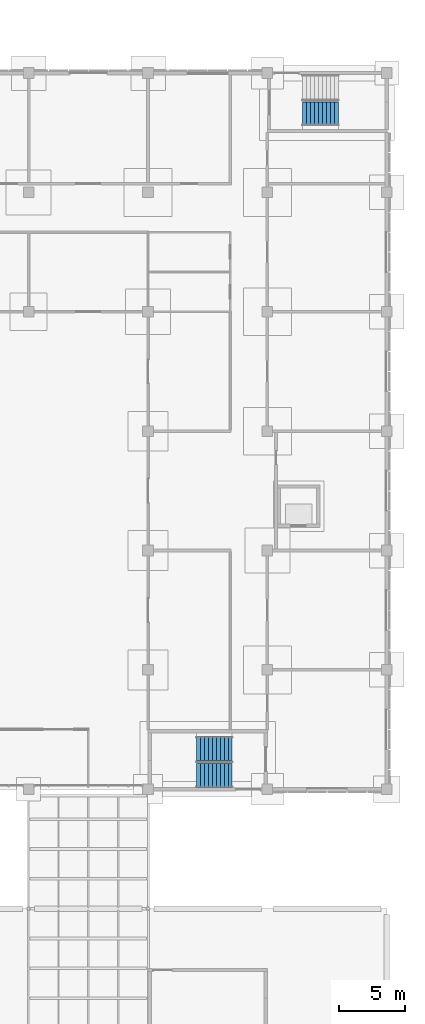
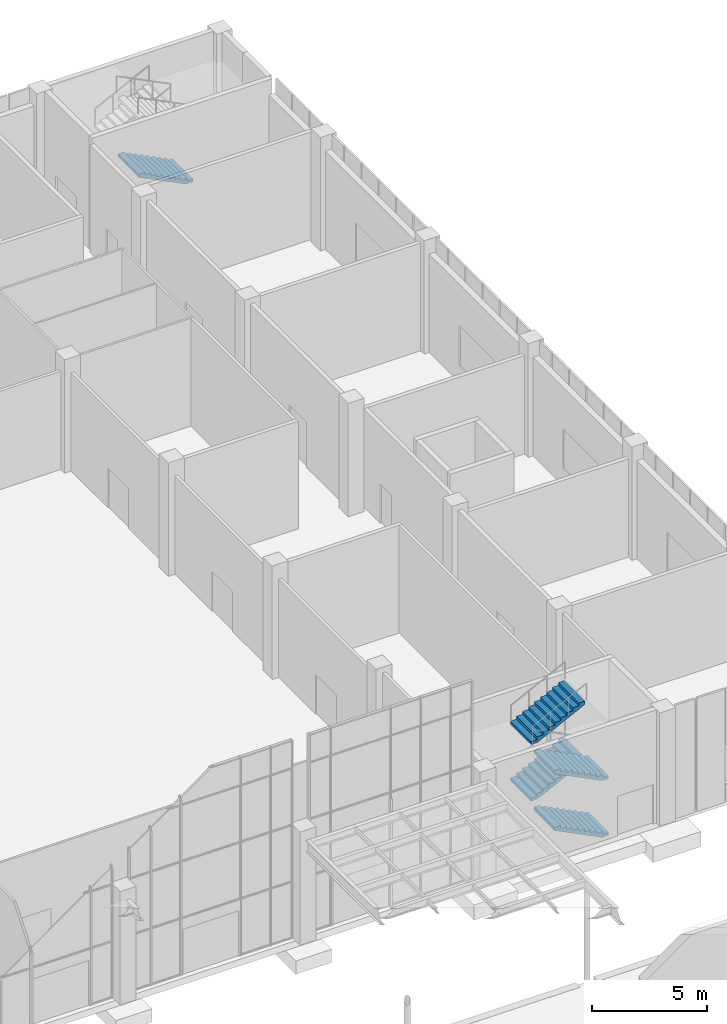
# One storey, part 75 of 86: 5 stair flights, 2 elements without a shape of their own.
"""IFC4 building model written with IfcOpenShell, lengths in metres."""

import ifcopenshell
import ifcopenshell.guid

model = None  # the IFC model being written
_history = None  # IfcOwnerHistory: only IFC2X3 demands one
_inside = {}  # id of a spatial element -> (the spatial element, [elements in it])
_under = {}  # id of a project, library or spatial element -> (it, [spatial elements below it])
_declared = {}  # id of a project -> (the project, [libraries it declares])
_typed = {}  # id of a type object -> (the type object, [elements of that type])
_made_of = {}  # id of a material, layer set ... -> (it, [elements and type objects made of it])


def new_model(schema):
    """Start an empty IFC model of exactly this schema.

    Asked for "IFC4X3", IfcOpenShell would pick the latest addendum, in which some entities
    have other attributes; the version numbers below select the first issue.
    IFC2X3 requires an IfcOwnerHistory on every rooted entity: one is made here for all.
    """
    global model, _history
    if schema == "IFC4X3":
        model = ifcopenshell.file(schema_version=(4, 3, 0, 0))
    else:
        model = ifcopenshell.file(schema=schema)
    _inside.clear()
    _under.clear()
    _declared.clear()
    _typed.clear()
    _made_of.clear()
    _history = None
    if model.schema == "IFC2X3":
        org = make("IfcOrganization", Name="unknown")
        user = make(
            "IfcPersonAndOrganization",
            ThePerson=make("IfcPerson", FamilyName="unknown"),
            TheOrganization=org,
        )
        app = make(
            "IfcApplication",
            ApplicationDeveloper=org,
            Version="unknown",
            ApplicationFullName="unknown",
            ApplicationIdentifier="unknown",
        )
        _history = make(
            "IfcOwnerHistory",
            OwningUser=user,
            OwningApplication=app,
            ChangeAction="ADDED",
            CreationDate=0,
        )
    return model


def make(cls, **values):
    """One entity of the class cls with the attributes given. An attribute that is None is left unset."""
    return model.create_entity(
        cls, **{name: value for name, value in values.items() if value is not None}
    )


def rooted(cls, **values):
    """An entity with a GlobalId (a new one), such as an element, a storey or a relation."""
    return make(cls, GlobalId=ifcopenshell.guid.new(), OwnerHistory=_history, **values)


def si_unit(unit_type, name, prefix=None):
    """IfcSIUnit, for example si_unit("LENGTHUNIT", "METRE", prefix="MILLI")."""
    return make("IfcSIUnit", UnitType=unit_type, Prefix=prefix, Name=name)


def assignment(units):
    """IfcUnitAssignment: the units of a project."""
    return None if units is None else make("IfcUnitAssignment", Units=units)


def point(xyz):
    """IfcCartesianPoint."""
    return None if xyz is None else make("IfcCartesianPoint", Coordinates=xyz)


def direction(xyz):
    """IfcDirection."""
    return None if xyz is None else make("IfcDirection", DirectionRatios=xyz)


def frame(location, z_axis=None, x_axis=None):
    """IfcAxis2Placement3D, a coordinate frame: its origin and axes. An axis left out is left unset."""
    return make(
        "IfcAxis2Placement3D",
        Location=point(location),
        Axis=direction(z_axis),
        RefDirection=direction(x_axis),
    )


def origin():
    """The frame at (0, 0, 0) with its axes left unset."""
    return frame((0.0, 0.0, 0.0))


def place(relative_to, where):
    """IfcLocalPlacement: puts the frame where relative to a parent placement (None: the world)."""
    return make(
        "IfcLocalPlacement", PlacementRelTo=relative_to, RelativePlacement=where
    )


def context(
    kind, dimensions, precision=None, world=None, true_north=None, identifier=None
):
    """IfcGeometricRepresentationContext, for example the 3D "Model" context."""
    return make(
        "IfcGeometricRepresentationContext",
        ContextIdentifier=identifier,
        ContextType=kind,
        CoordinateSpaceDimension=dimensions,
        Precision=precision,
        WorldCoordinateSystem=world,
        TrueNorth=true_north,
    )


def subcontext(parent, identifier, kind, view, scale=None):
    """IfcGeometricRepresentationSubContext, for example "Body" below "Model"."""
    return make(
        "IfcGeometricRepresentationSubContext",
        ContextIdentifier=identifier,
        ContextType=kind,
        ParentContext=parent,
        TargetScale=scale,
        TargetView=view,
    )


def project(units=None, contexts=None):
    """IfcProject with its units and contexts."""
    return rooted(
        "IfcProject",
        Name="project",
        RepresentationContexts=contexts,
        UnitsInContext=assignment(units),
    )


def spatial(cls, under=None, at=None, **own):
    """A site, building, storey or space (cls), placed at a placement, below another one or the project."""
    s = rooted(cls, ObjectPlacement=at, **own)
    if under is not None:
        _under.setdefault(under.id(), (under, []))[1].append(s)
    return s


def faces_of(points, faces, orient=None, outer=None):
    """IfcFace entities. A face is a list of loops; a loop is a list of indices into points, from 0.

    orient and outer hold one flag for each loop. By default every Orientation is true, the
    first loop of a face is its IfcFaceOuterBound and the others are IfcFaceBound.
    """
    made = []
    for i, loops in enumerate(faces):
        bounds = []
        for j, loop in enumerate(loops):
            is_outer = j == 0 if outer is None else outer[i][j]
            bounds.append(
                make(
                    "IfcFaceOuterBound" if is_outer else "IfcFaceBound",
                    Bound=make("IfcPolyLoop", Polygon=[points[k] for k in loop]),
                    Orientation=True if orient is None else orient[i][j],
                )
            )
        made.append(make("IfcFace", Bounds=bounds))
    return made


def faceted_brep(points, faces, orient=None, outer=None, voids=None):
    """IfcFacetedBrep: a solid bounded by flat faces; with voids (closed shells), ...WithVoids."""
    shared = [point(p) for p in points]
    hull = make("IfcClosedShell", CfsFaces=faces_of(shared, faces, orient, outer))
    if voids is None:
        return make("IfcFacetedBrep", Outer=hull)
    return make(
        "IfcFacetedBrepWithVoids",
        Outer=hull,
        Voids=[
            make(cls, CfsFaces=faces_of(shared, fs, o, b)) for cls, fs, o, b in voids
        ],
    )


def shape(context_of_items, identifier, shape_type, items):
    """IfcShapeRepresentation: the items that make up one representation, for example the "Body"."""
    return make(
        "IfcShapeRepresentation",
        ContextOfItems=context_of_items,
        RepresentationIdentifier=identifier,
        RepresentationType=shape_type,
        Items=items,
    )


def material(Name=None, Category=None):
    """IfcMaterial."""
    return make("IfcMaterial", Name=Name, Category=Category)


def made_of(thing, what):
    """Note that an element or type object is made of a material, layer set ...; save() writes the relation."""
    if what is not None:
        _made_of.setdefault(what.id(), (what, []))[1].append(thing)
    return thing


def type_object(cls, material=None, **own):
    """A type object (cls), such as IfcWallType, which elements share."""
    return made_of(rooted(cls, **own), material)


def element(
    cls,
    number,
    at=None,
    inside=None,
    cuts=None,
    type_object=None,
    material=None,
    context=None,
    identifier="Body",
    shape_type=None,
    held_by="IfcProductDefinitionShape",
    body=None,
    shapes=None,
    **own,
):
    """One element of the class cls, such as IfcWall. Its Tag is "e" and its number.

    at: its placement. inside: the storey or other place that contains it. cuts: it is an
    opening in that element (IfcRelVoidsElement). A single representation is given by context,
    identifier, shape_type and body (its items); several are given by shapes. held_by: the class
    of the entity that holds the representations. save() writes the other relations.
    """
    e = rooted(cls, Tag="e%d" % number, ObjectPlacement=at, **own)
    if body is not None:
        shapes = [shape(context, identifier, shape_type, body)]
    if shapes is not None:
        e.Representation = make(held_by, Representations=shapes)
    if inside is not None:
        _inside.setdefault(inside.id(), (inside, []))[1].append(e)
    if cuts is not None:
        rooted(
            "IfcRelVoidsElement", RelatingBuildingElement=cuts, RelatedOpeningElement=e
        )
    if type_object is not None:
        _typed.setdefault(type_object.id(), (type_object, []))[1].append(e)
    return made_of(e, material)


def aggregate(whole, parts):
    """IfcRelAggregates: a whole, such as a stair, and the parts it consists of."""
    return rooted("IfcRelAggregates", RelatingObject=whole, RelatedObjects=parts)


def save(model, path):
    """Write the relations noted so far, then the file.

    IfcRelAggregates (storeys below a building ...), IfcRelContainedInSpatialStructure (elements
    in a storey), IfcRelDefinesByType, IfcRelAssociatesMaterial and IfcRelDeclares: one each for
    every whole, place, type object, material and project.
    """
    for whole, parts in _under.values():
        aggregate(whole, parts)
    for where, things in _inside.values():
        rooted(
            "IfcRelContainedInSpatialStructure",
            RelatedElements=things,
            RelatingStructure=where,
        )
    for kind, things in _typed.values():
        rooted("IfcRelDefinesByType", RelatedObjects=things, RelatingType=kind)
    for what, things in _made_of.values():
        rooted("IfcRelAssociatesMaterial", RelatedObjects=things, RelatingMaterial=what)
    for by, libraries in _declared.values():
        rooted("IfcRelDeclares", RelatingContext=by, RelatedDefinitions=libraries)
    model.write(path)


model = new_model("IFC4")

# Units and contexts
model_context = context("Model", 3, precision=1e-05, world=origin(), true_north=direction((0.0, 1.0)))
body_context = subcontext(model_context, "Body", "Model", "MODEL_VIEW")
ifc_project = project(units=[si_unit("LENGTHUNIT", "METRE"), si_unit("AREAUNIT", "SQUARE_METRE"), si_unit("VOLUMEUNIT", "CUBIC_METRE"), si_unit("PLANEANGLEUNIT", "RADIAN"), si_unit("MASSUNIT", "GRAM", prefix="KILO")], contexts=[model_context])

# Site, building, storey
site_placement = place(None, origin())
site = spatial("IfcSite", under=ifc_project, at=site_placement, CompositionType="ELEMENT")
building_placement = place(site_placement, origin())
building = spatial("IfcBuilding", under=site, at=building_placement, Name="Guidao Yard Department Store", CompositionType="ELEMENT")
storey_placement = place(building_placement, origin())
storey = spatial("IfcBuildingStorey", under=building, at=storey_placement, Name="L00", CompositionType="ELEMENT", Elevation=0.0)

# Stair, stair flights
ifc_material_1 = material(Name="Concrete C35", Category="concrete")
stair_type = type_object("IfcStairType", Name="Stair double-return four-flight 1800 wide 6.0 m rise", PredefinedType="DOUBLE_RETURN_STAIR", material=ifc_material_1)
stair_1_placement = place(storey_placement, origin())
stair_1 = element("IfcStair", 1, at=stair_1_placement, inside=storey, type_object=stair_type, Name="Stair F1 L00 to L01", PredefinedType="DOUBLE_RETURN_STAIR")
ifc_material_2 = material(Name="Concrete C35", Category="concrete")
stair_flight_type = type_object("IfcStairFlightType", Name="Stair flight RC straight 1800 wide 10 risers x 300 going C35", PredefinedType="STRAIGHT", material=ifc_material_2)
stair_flight_1_placement = place(storey_placement, frame((159.35009765625, 55.02490234375, 0.0), z_axis=(0.0, 0.0, 1.0), x_axis=(-1.0, 0.0, 0.0)))
stair_flight_1 = element("IfcStairFlight", 2, at=stair_flight_1_placement, type_object=stair_flight_type, Name="SF1-L00 flight 1", NumberOfRisers=10, NumberOfTreads=9, PredefinedType="STRAIGHT", RiserHeight=0.15, TreadLength=0.3, context=body_context, shape_type="Brep", body=[
    faceted_brep([(0.0, 0.89990234375, 0.0), (0.0, 0.89990234375, 0.14990234375), (0.300048828125, 0.89990234375, 0.14990234375), (0.300048828125, 0.89990234375, 0.300048828125), (0.60009765625, 0.89990234375, 0.300048828125), (0.60009765625, 0.89990234375, 0.449951171875), (0.89990234375, 0.89990234375, 0.449951171875), (0.89990234375, 0.89990234375, 0.60009765625), (1.199951171875, 0.89990234375, 0.60009765625), (1.199951171875, 0.89990234375, 0.75), (1.5, 0.89990234375, 0.75), (1.5, 0.89990234375, 0.89990234375), (1.800048828125, 0.89990234375, 0.89990234375), (1.800048828125, 0.89990234375, 1.050048828125), (2.10009765625, 0.89990234375, 1.050048828125), (2.10009765625, 0.89990234375, 1.199951171875), (2.39990234375, 0.89990234375, 1.199951171875), (2.39990234375, 0.89990234375, 1.35009765625), (2.699951171875, 0.89990234375, 1.35009765625), (2.699951171875, 0.89990234375, 1.182373046875), (0.335205078125, 0.89990234375, 0.0), (0.335205078125, -0.89990234375, 0.0), (2.699951171875, -0.89990234375, 1.182373046875), (2.699951171875, -0.89990234375, 1.35009765625), (2.39990234375, -0.89990234375, 1.35009765625), (2.39990234375, -0.89990234375, 1.199951171875), (2.10009765625, -0.89990234375, 1.199951171875), (2.10009765625, -0.89990234375, 1.050048828125), (1.800048828125, -0.89990234375, 1.050048828125), (1.800048828125, -0.89990234375, 0.89990234375), (1.5, -0.89990234375, 0.89990234375), (1.5, -0.89990234375, 0.75), (1.199951171875, -0.89990234375, 0.75), (1.199951171875, -0.89990234375, 0.60009765625), (0.89990234375, -0.89990234375, 0.60009765625), (0.89990234375, -0.89990234375, 0.449951171875), (0.60009765625, -0.89990234375, 0.449951171875), (0.60009765625, -0.89990234375, 0.300048828125), (0.300048828125, -0.89990234375, 0.300048828125), (0.300048828125, -0.89990234375, 0.14990234375), (0.0, -0.89990234375, 0.14990234375), (0.0, -0.89990234375, 0.0), (0.0, 0.300048828125, 0.0), (0.0, 0.300048828125, 0.14990234375), (0.0, -0.300048828125, 0.0), (0.0, -0.300048828125, 0.14990234375), (0.300048828125, 0.300048828125, 0.14990234375), (0.300048828125, -0.300048828125, 0.14990234375), (0.300048828125, 0.300048828125, 0.300048828125), (0.300048828125, -0.300048828125, 0.300048828125), (0.60009765625, 0.300048828125, 0.300048828125), (0.60009765625, -0.300048828125, 0.300048828125), (0.60009765625, 0.300048828125, 0.449951171875), (0.60009765625, -0.300048828125, 0.449951171875), (0.89990234375, 0.300048828125, 0.449951171875), (0.89990234375, -0.300048828125, 0.449951171875), (0.89990234375, 0.300048828125, 0.60009765625), (0.89990234375, -0.300048828125, 0.60009765625), (1.199951171875, 0.300048828125, 0.60009765625), (1.199951171875, -0.300048828125, 0.60009765625), (1.199951171875, 0.300048828125, 0.75), (1.199951171875, -0.300048828125, 0.75), (1.5, 0.300048828125, 0.75), (1.5, -0.300048828125, 0.75), (1.5, 0.300048828125, 0.89990234375), (1.5, -0.300048828125, 0.89990234375), (1.800048828125, 0.300048828125, 0.89990234375), (1.800048828125, -0.300048828125, 0.89990234375), (1.800048828125, 0.300048828125, 1.050048828125), (1.800048828125, -0.300048828125, 1.050048828125), (2.10009765625, 0.300048828125, 1.050048828125), (2.10009765625, -0.300048828125, 1.050048828125), (2.10009765625, 0.300048828125, 1.199951171875), (2.10009765625, -0.300048828125, 1.199951171875), (2.39990234375, 0.300048828125, 1.199951171875), (2.39990234375, -0.300048828125, 1.199951171875), (2.39990234375, 0.300048828125, 1.35009765625), (2.39990234375, -0.300048828125, 1.35009765625), (2.699951171875, 0.300048828125, 1.35009765625), (2.699951171875, -0.300048828125, 1.35009765625), (2.699951171875, 0.300048828125, 1.182373046875), (2.699951171875, -0.300048828125, 1.182373046875), (0.335205078125, 0.300048828125, 0.0), (0.335205078125, -0.300048828125, 0.0)], [[[0, 1, 2, 3, 4, 5, 6, 7, 8, 9, 10, 11, 12, 13, 14, 15, 16, 17, 18, 19, 20]], [[21, 22, 23, 24, 25, 26, 27, 28, 29, 30, 31, 32, 33, 34, 35, 36, 37, 38, 39, 40, 41]], [[42, 43, 1, 0]], [[44, 45, 43, 42]], [[41, 40, 45, 44]], [[43, 46, 2, 1]], [[45, 47, 46, 43]], [[40, 39, 47, 45]], [[46, 48, 3, 2]], [[47, 49, 48, 46]], [[39, 38, 49, 47]], [[48, 50, 4, 3]], [[49, 51, 50, 48]], [[38, 37, 51, 49]], [[50, 52, 5, 4]], [[51, 53, 52, 50]], [[37, 36, 53, 51]], [[52, 54, 6, 5]], [[53, 55, 54, 52]], [[36, 35, 55, 53]], [[54, 56, 7, 6]], [[55, 57, 56, 54]], [[35, 34, 57, 55]], [[56, 58, 8, 7]], [[57, 59, 58, 56]], [[34, 33, 59, 57]], [[58, 60, 9, 8]], [[59, 61, 60, 58]], [[33, 32, 61, 59]], [[60, 62, 10, 9]], [[61, 63, 62, 60]], [[32, 31, 63, 61]], [[62, 64, 11, 10]], [[63, 65, 64, 62]], [[31, 30, 65, 63]], [[64, 66, 12, 11]], [[65, 67, 66, 64]], [[30, 29, 67, 65]], [[66, 68, 13, 12]], [[67, 69, 68, 66]], [[29, 28, 69, 67]], [[68, 70, 14, 13]], [[69, 71, 70, 68]], [[28, 27, 71, 69]], [[70, 72, 15, 14]], [[71, 73, 72, 70]], [[27, 26, 73, 71]], [[72, 74, 16, 15]], [[73, 75, 74, 72]], [[26, 25, 75, 73]], [[74, 76, 17, 16]], [[75, 77, 76, 74]], [[25, 24, 77, 75]], [[76, 78, 18, 17]], [[77, 79, 78, 76]], [[24, 23, 79, 77]], [[78, 80, 19, 18]], [[79, 81, 80, 78]], [[23, 22, 81, 79]], [[80, 82, 20, 19]], [[81, 83, 82, 80]], [[22, 21, 83, 81]], [[82, 42, 0, 20]], [[83, 44, 42, 82]], [[21, 41, 44, 83]]]),
])
stair_flight_2_placement = place(storey_placement, frame((156.64990234375, 57.074951171875, 1.5), z_axis=(0.0, 0.0, 1.0), x_axis=(1.0, 0.0, 0.0)))
stair_flight_2 = element("IfcStairFlight", 3, at=stair_flight_2_placement, type_object=stair_flight_type, Name="SF1-L00 flight 2", NumberOfRisers=10, NumberOfTreads=9, PredefinedType="STRAIGHT", RiserHeight=0.15, TreadLength=0.3, context=body_context, shape_type="Brep", body=[
    faceted_brep([(0.0, 0.89990234375, 0.0), (0.0, 0.89990234375, 0.14990234375), (0.300048828125, 0.89990234375, 0.14990234375), (0.300048828125, 0.89990234375, 0.300048828125), (0.60009765625, 0.89990234375, 0.300048828125), (0.60009765625, 0.89990234375, 0.449951171875), (0.89990234375, 0.89990234375, 0.449951171875), (0.89990234375, 0.89990234375, 0.60009765625), (1.199951171875, 0.89990234375, 0.60009765625), (1.199951171875, 0.89990234375, 0.75), (1.5, 0.89990234375, 0.75), (1.5, 0.89990234375, 0.89990234375), (1.800048828125, 0.89990234375, 0.89990234375), (1.800048828125, 0.89990234375, 1.050048828125), (2.10009765625, 0.89990234375, 1.050048828125), (2.10009765625, 0.89990234375, 1.199951171875), (2.39990234375, 0.89990234375, 1.199951171875), (2.39990234375, 0.89990234375, 1.35009765625), (2.699951171875, 0.89990234375, 1.35009765625), (2.699951171875, 0.89990234375, 1.182373046875), (0.335205078125, 0.89990234375, 0.0), (0.335205078125, -0.89990234375, 0.0), (2.699951171875, -0.89990234375, 1.182373046875), (2.699951171875, -0.89990234375, 1.35009765625), (2.39990234375, -0.89990234375, 1.35009765625), (2.39990234375, -0.89990234375, 1.199951171875), (2.10009765625, -0.89990234375, 1.199951171875), (2.10009765625, -0.89990234375, 1.050048828125), (1.800048828125, -0.89990234375, 1.050048828125), (1.800048828125, -0.89990234375, 0.89990234375), (1.5, -0.89990234375, 0.89990234375), (1.5, -0.89990234375, 0.75), (1.199951171875, -0.89990234375, 0.75), (1.199951171875, -0.89990234375, 0.60009765625), (0.89990234375, -0.89990234375, 0.60009765625), (0.89990234375, -0.89990234375, 0.449951171875), (0.60009765625, -0.89990234375, 0.449951171875), (0.60009765625, -0.89990234375, 0.300048828125), (0.300048828125, -0.89990234375, 0.300048828125), (0.300048828125, -0.89990234375, 0.14990234375), (0.0, -0.89990234375, 0.14990234375), (0.0, -0.89990234375, 0.0), (0.0, 0.300048828125, 0.0), (0.0, 0.300048828125, 0.14990234375), (0.0, -0.300048828125, 0.0), (0.0, -0.300048828125, 0.14990234375), (0.300048828125, 0.300048828125, 0.14990234375), (0.300048828125, -0.300048828125, 0.14990234375), (0.300048828125, 0.300048828125, 0.300048828125), (0.300048828125, -0.300048828125, 0.300048828125), (0.60009765625, 0.300048828125, 0.300048828125), (0.60009765625, -0.300048828125, 0.300048828125), (0.60009765625, 0.300048828125, 0.449951171875), (0.60009765625, -0.300048828125, 0.449951171875), (0.89990234375, 0.300048828125, 0.449951171875), (0.89990234375, -0.300048828125, 0.449951171875), (0.89990234375, 0.300048828125, 0.60009765625), (0.89990234375, -0.300048828125, 0.60009765625), (1.199951171875, 0.300048828125, 0.60009765625), (1.199951171875, -0.300048828125, 0.60009765625), (1.199951171875, 0.300048828125, 0.75), (1.199951171875, -0.300048828125, 0.75), (1.5, 0.300048828125, 0.75), (1.5, -0.300048828125, 0.75), (1.5, 0.300048828125, 0.89990234375), (1.5, -0.300048828125, 0.89990234375), (1.800048828125, 0.300048828125, 0.89990234375), (1.800048828125, -0.300048828125, 0.89990234375), (1.800048828125, 0.300048828125, 1.050048828125), (1.800048828125, -0.300048828125, 1.050048828125), (2.10009765625, 0.300048828125, 1.050048828125), (2.10009765625, -0.300048828125, 1.050048828125), (2.10009765625, 0.300048828125, 1.199951171875), (2.10009765625, -0.300048828125, 1.199951171875), (2.39990234375, 0.300048828125, 1.199951171875), (2.39990234375, -0.300048828125, 1.199951171875), (2.39990234375, 0.300048828125, 1.35009765625), (2.39990234375, -0.300048828125, 1.35009765625), (2.699951171875, 0.300048828125, 1.35009765625), (2.699951171875, -0.300048828125, 1.35009765625), (2.699951171875, 0.300048828125, 1.182373046875), (2.699951171875, -0.300048828125, 1.182373046875), (0.335205078125, 0.300048828125, 0.0), (0.335205078125, -0.300048828125, 0.0)], [[[0, 1, 2, 3, 4, 5, 6, 7, 8, 9, 10, 11, 12, 13, 14, 15, 16, 17, 18, 19, 20]], [[21, 22, 23, 24, 25, 26, 27, 28, 29, 30, 31, 32, 33, 34, 35, 36, 37, 38, 39, 40, 41]], [[42, 43, 1, 0]], [[44, 45, 43, 42]], [[41, 40, 45, 44]], [[43, 46, 2, 1]], [[45, 47, 46, 43]], [[40, 39, 47, 45]], [[46, 48, 3, 2]], [[47, 49, 48, 46]], [[39, 38, 49, 47]], [[48, 50, 4, 3]], [[49, 51, 50, 48]], [[38, 37, 51, 49]], [[50, 52, 5, 4]], [[51, 53, 52, 50]], [[37, 36, 53, 51]], [[52, 54, 6, 5]], [[53, 55, 54, 52]], [[36, 35, 55, 53]], [[54, 56, 7, 6]], [[55, 57, 56, 54]], [[35, 34, 57, 55]], [[56, 58, 8, 7]], [[57, 59, 58, 56]], [[34, 33, 59, 57]], [[58, 60, 9, 8]], [[59, 61, 60, 58]], [[33, 32, 61, 59]], [[60, 62, 10, 9]], [[61, 63, 62, 60]], [[32, 31, 63, 61]], [[62, 64, 11, 10]], [[63, 65, 64, 62]], [[31, 30, 65, 63]], [[64, 66, 12, 11]], [[65, 67, 66, 64]], [[30, 29, 67, 65]], [[66, 68, 13, 12]], [[67, 69, 68, 66]], [[29, 28, 69, 67]], [[68, 70, 14, 13]], [[69, 71, 70, 68]], [[28, 27, 71, 69]], [[70, 72, 15, 14]], [[71, 73, 72, 70]], [[27, 26, 73, 71]], [[72, 74, 16, 15]], [[73, 75, 74, 72]], [[26, 25, 75, 73]], [[74, 76, 17, 16]], [[75, 77, 76, 74]], [[25, 24, 77, 75]], [[76, 78, 18, 17]], [[77, 79, 78, 76]], [[24, 23, 79, 77]], [[78, 80, 19, 18]], [[79, 81, 80, 78]], [[23, 22, 81, 79]], [[80, 82, 20, 19]], [[81, 83, 82, 80]], [[22, 21, 83, 81]], [[82, 42, 0, 20]], [[83, 44, 42, 82]], [[21, 41, 44, 83]]]),
])
stair_flight_3_placement = place(storey_placement, frame((159.35009765625, 55.02490234375, 3.0), z_axis=(0.0, 0.0, 1.0), x_axis=(-1.0, 0.0, 0.0)))
stair_flight_3 = element("IfcStairFlight", 4, at=stair_flight_3_placement, type_object=stair_flight_type, Name="SF1-L00 flight 3", NumberOfRisers=10, NumberOfTreads=9, PredefinedType="STRAIGHT", RiserHeight=0.15, TreadLength=0.3, context=body_context, shape_type="Brep", body=[
    faceted_brep([(0.0, 0.89990234375, 0.0), (0.0, 0.89990234375, 0.14990234375), (0.300048828125, 0.89990234375, 0.14990234375), (0.300048828125, 0.89990234375, 0.300048828125), (0.60009765625, 0.89990234375, 0.300048828125), (0.60009765625, 0.89990234375, 0.449951171875), (0.89990234375, 0.89990234375, 0.449951171875), (0.89990234375, 0.89990234375, 0.60009765625), (1.199951171875, 0.89990234375, 0.60009765625), (1.199951171875, 0.89990234375, 0.75), (1.5, 0.89990234375, 0.75), (1.5, 0.89990234375, 0.89990234375), (1.800048828125, 0.89990234375, 0.89990234375), (1.800048828125, 0.89990234375, 1.050048828125), (2.10009765625, 0.89990234375, 1.050048828125), (2.10009765625, 0.89990234375, 1.199951171875), (2.39990234375, 0.89990234375, 1.199951171875), (2.39990234375, 0.89990234375, 1.35009765625), (2.699951171875, 0.89990234375, 1.35009765625), (2.699951171875, 0.89990234375, 1.182373046875), (0.335205078125, 0.89990234375, 0.0), (0.335205078125, -0.89990234375, 0.0), (2.699951171875, -0.89990234375, 1.182373046875), (2.699951171875, -0.89990234375, 1.35009765625), (2.39990234375, -0.89990234375, 1.35009765625), (2.39990234375, -0.89990234375, 1.199951171875), (2.10009765625, -0.89990234375, 1.199951171875), (2.10009765625, -0.89990234375, 1.050048828125), (1.800048828125, -0.89990234375, 1.050048828125), (1.800048828125, -0.89990234375, 0.89990234375), (1.5, -0.89990234375, 0.89990234375), (1.5, -0.89990234375, 0.75), (1.199951171875, -0.89990234375, 0.75), (1.199951171875, -0.89990234375, 0.60009765625), (0.89990234375, -0.89990234375, 0.60009765625), (0.89990234375, -0.89990234375, 0.449951171875), (0.60009765625, -0.89990234375, 0.449951171875), (0.60009765625, -0.89990234375, 0.300048828125), (0.300048828125, -0.89990234375, 0.300048828125), (0.300048828125, -0.89990234375, 0.14990234375), (0.0, -0.89990234375, 0.14990234375), (0.0, -0.89990234375, 0.0), (0.0, 0.300048828125, 0.0), (0.0, 0.300048828125, 0.14990234375), (0.0, -0.300048828125, 0.0), (0.0, -0.300048828125, 0.14990234375), (0.300048828125, 0.300048828125, 0.14990234375), (0.300048828125, -0.300048828125, 0.14990234375), (0.300048828125, 0.300048828125, 0.300048828125), (0.300048828125, -0.300048828125, 0.300048828125), (0.60009765625, 0.300048828125, 0.300048828125), (0.60009765625, -0.300048828125, 0.300048828125), (0.60009765625, 0.300048828125, 0.449951171875), (0.60009765625, -0.300048828125, 0.449951171875), (0.89990234375, 0.300048828125, 0.449951171875), (0.89990234375, -0.300048828125, 0.449951171875), (0.89990234375, 0.300048828125, 0.60009765625), (0.89990234375, -0.300048828125, 0.60009765625), (1.199951171875, 0.300048828125, 0.60009765625), (1.199951171875, -0.300048828125, 0.60009765625), (1.199951171875, 0.300048828125, 0.75), (1.199951171875, -0.300048828125, 0.75), (1.5, 0.300048828125, 0.75), (1.5, -0.300048828125, 0.75), (1.5, 0.300048828125, 0.89990234375), (1.5, -0.300048828125, 0.89990234375), (1.800048828125, 0.300048828125, 0.89990234375), (1.800048828125, -0.300048828125, 0.89990234375), (1.800048828125, 0.300048828125, 1.050048828125), (1.800048828125, -0.300048828125, 1.050048828125), (2.10009765625, 0.300048828125, 1.050048828125), (2.10009765625, -0.300048828125, 1.050048828125), (2.10009765625, 0.300048828125, 1.199951171875), (2.10009765625, -0.300048828125, 1.199951171875), (2.39990234375, 0.300048828125, 1.199951171875), (2.39990234375, -0.300048828125, 1.199951171875), (2.39990234375, 0.300048828125, 1.35009765625), (2.39990234375, -0.300048828125, 1.35009765625), (2.699951171875, 0.300048828125, 1.35009765625), (2.699951171875, -0.300048828125, 1.35009765625), (2.699951171875, 0.300048828125, 1.182373046875), (2.699951171875, -0.300048828125, 1.182373046875), (0.335205078125, 0.300048828125, 0.0), (0.335205078125, -0.300048828125, 0.0)], [[[0, 1, 2, 3, 4, 5, 6, 7, 8, 9, 10, 11, 12, 13, 14, 15, 16, 17, 18, 19, 20]], [[21, 22, 23, 24, 25, 26, 27, 28, 29, 30, 31, 32, 33, 34, 35, 36, 37, 38, 39, 40, 41]], [[42, 43, 1, 0]], [[44, 45, 43, 42]], [[41, 40, 45, 44]], [[43, 46, 2, 1]], [[45, 47, 46, 43]], [[40, 39, 47, 45]], [[46, 48, 3, 2]], [[47, 49, 48, 46]], [[39, 38, 49, 47]], [[48, 50, 4, 3]], [[49, 51, 50, 48]], [[38, 37, 51, 49]], [[50, 52, 5, 4]], [[51, 53, 52, 50]], [[37, 36, 53, 51]], [[52, 54, 6, 5]], [[53, 55, 54, 52]], [[36, 35, 55, 53]], [[54, 56, 7, 6]], [[55, 57, 56, 54]], [[35, 34, 57, 55]], [[56, 58, 8, 7]], [[57, 59, 58, 56]], [[34, 33, 59, 57]], [[58, 60, 9, 8]], [[59, 61, 60, 58]], [[33, 32, 61, 59]], [[60, 62, 10, 9]], [[61, 63, 62, 60]], [[32, 31, 63, 61]], [[62, 64, 11, 10]], [[63, 65, 64, 62]], [[31, 30, 65, 63]], [[64, 66, 12, 11]], [[65, 67, 66, 64]], [[30, 29, 67, 65]], [[66, 68, 13, 12]], [[67, 69, 68, 66]], [[29, 28, 69, 67]], [[68, 70, 14, 13]], [[69, 71, 70, 68]], [[28, 27, 71, 69]], [[70, 72, 15, 14]], [[71, 73, 72, 70]], [[27, 26, 73, 71]], [[72, 74, 16, 15]], [[73, 75, 74, 72]], [[26, 25, 75, 73]], [[74, 76, 17, 16]], [[75, 77, 76, 74]], [[25, 24, 77, 75]], [[76, 78, 18, 17]], [[77, 79, 78, 76]], [[24, 23, 79, 77]], [[78, 80, 19, 18]], [[79, 81, 80, 78]], [[23, 22, 81, 79]], [[80, 82, 20, 19]], [[81, 83, 82, 80]], [[22, 21, 83, 81]], [[82, 42, 0, 20]], [[83, 44, 42, 82]], [[21, 41, 44, 83]]]),
])
stair_flight_4_placement = place(storey_placement, frame((156.64990234375, 57.074951171875, 4.5), z_axis=(0.0, 0.0, 1.0), x_axis=(1.0, 0.0, 0.0)))
stair_flight_4 = element("IfcStairFlight", 5, at=stair_flight_4_placement, type_object=stair_flight_type, Name="SF1-L00 flight 4", NumberOfRisers=10, NumberOfTreads=9, PredefinedType="STRAIGHT", RiserHeight=0.15, TreadLength=0.3, context=body_context, shape_type="Brep", body=[
    faceted_brep([(0.0, 0.89990234375, 0.0), (0.0, 0.89990234375, 0.14990234375), (0.300048828125, 0.89990234375, 0.14990234375), (0.300048828125, 0.89990234375, 0.300048828125), (0.60009765625, 0.89990234375, 0.300048828125), (0.60009765625, 0.89990234375, 0.449951171875), (0.89990234375, 0.89990234375, 0.449951171875), (0.89990234375, 0.89990234375, 0.60009765625), (1.199951171875, 0.89990234375, 0.60009765625), (1.199951171875, 0.89990234375, 0.75), (1.5, 0.89990234375, 0.75), (1.5, 0.89990234375, 0.89990234375), (1.800048828125, 0.89990234375, 0.89990234375), (1.800048828125, 0.89990234375, 1.050048828125), (2.10009765625, 0.89990234375, 1.050048828125), (2.10009765625, 0.89990234375, 1.199951171875), (2.39990234375, 0.89990234375, 1.199951171875), (2.39990234375, 0.89990234375, 1.35009765625), (2.699951171875, 0.89990234375, 1.35009765625), (2.699951171875, 0.89990234375, 1.182373046875), (0.335205078125, 0.89990234375, 0.0), (0.335205078125, -0.89990234375, 0.0), (2.699951171875, -0.89990234375, 1.182373046875), (2.699951171875, -0.89990234375, 1.35009765625), (2.39990234375, -0.89990234375, 1.35009765625), (2.39990234375, -0.89990234375, 1.199951171875), (2.10009765625, -0.89990234375, 1.199951171875), (2.10009765625, -0.89990234375, 1.050048828125), (1.800048828125, -0.89990234375, 1.050048828125), (1.800048828125, -0.89990234375, 0.89990234375), (1.5, -0.89990234375, 0.89990234375), (1.5, -0.89990234375, 0.75), (1.199951171875, -0.89990234375, 0.75), (1.199951171875, -0.89990234375, 0.60009765625), (0.89990234375, -0.89990234375, 0.60009765625), (0.89990234375, -0.89990234375, 0.449951171875), (0.60009765625, -0.89990234375, 0.449951171875), (0.60009765625, -0.89990234375, 0.300048828125), (0.300048828125, -0.89990234375, 0.300048828125), (0.300048828125, -0.89990234375, 0.14990234375), (0.0, -0.89990234375, 0.14990234375), (0.0, -0.89990234375, 0.0), (0.0, 0.300048828125, 0.0), (0.0, 0.300048828125, 0.14990234375), (0.0, -0.300048828125, 0.0), (0.0, -0.300048828125, 0.14990234375), (0.300048828125, 0.300048828125, 0.14990234375), (0.300048828125, -0.300048828125, 0.14990234375), (0.300048828125, 0.300048828125, 0.300048828125), (0.300048828125, -0.300048828125, 0.300048828125), (0.60009765625, 0.300048828125, 0.300048828125), (0.60009765625, -0.300048828125, 0.300048828125), (0.60009765625, 0.300048828125, 0.449951171875), (0.60009765625, -0.300048828125, 0.449951171875), (0.89990234375, 0.300048828125, 0.449951171875), (0.89990234375, -0.300048828125, 0.449951171875), (0.89990234375, 0.300048828125, 0.60009765625), (0.89990234375, -0.300048828125, 0.60009765625), (1.199951171875, 0.300048828125, 0.60009765625), (1.199951171875, -0.300048828125, 0.60009765625), (1.199951171875, 0.300048828125, 0.75), (1.199951171875, -0.300048828125, 0.75), (1.5, 0.300048828125, 0.75), (1.5, -0.300048828125, 0.75), (1.5, 0.300048828125, 0.89990234375), (1.5, -0.300048828125, 0.89990234375), (1.800048828125, 0.300048828125, 0.89990234375), (1.800048828125, -0.300048828125, 0.89990234375), (1.800048828125, 0.300048828125, 1.050048828125), (1.800048828125, -0.300048828125, 1.050048828125), (2.10009765625, 0.300048828125, 1.050048828125), (2.10009765625, -0.300048828125, 1.050048828125), (2.10009765625, 0.300048828125, 1.199951171875), (2.10009765625, -0.300048828125, 1.199951171875), (2.39990234375, 0.300048828125, 1.199951171875), (2.39990234375, -0.300048828125, 1.199951171875), (2.39990234375, 0.300048828125, 1.35009765625), (2.39990234375, -0.300048828125, 1.35009765625), (2.699951171875, 0.300048828125, 1.35009765625), (2.699951171875, -0.300048828125, 1.35009765625), (2.699951171875, 0.300048828125, 1.182373046875), (2.699951171875, -0.300048828125, 1.182373046875), (0.335205078125, 0.300048828125, 0.0), (0.335205078125, -0.300048828125, 0.0)], [[[0, 1, 2, 3, 4, 5, 6, 7, 8, 9, 10, 11, 12, 13, 14, 15, 16, 17, 18, 19, 20]], [[21, 22, 23, 24, 25, 26, 27, 28, 29, 30, 31, 32, 33, 34, 35, 36, 37, 38, 39, 40, 41]], [[42, 43, 1, 0]], [[44, 45, 43, 42]], [[41, 40, 45, 44]], [[43, 46, 2, 1]], [[45, 47, 46, 43]], [[40, 39, 47, 45]], [[46, 48, 3, 2]], [[47, 49, 48, 46]], [[39, 38, 49, 47]], [[48, 50, 4, 3]], [[49, 51, 50, 48]], [[38, 37, 51, 49]], [[50, 52, 5, 4]], [[51, 53, 52, 50]], [[37, 36, 53, 51]], [[52, 54, 6, 5]], [[53, 55, 54, 52]], [[36, 35, 55, 53]], [[54, 56, 7, 6]], [[55, 57, 56, 54]], [[35, 34, 57, 55]], [[56, 58, 8, 7]], [[57, 59, 58, 56]], [[34, 33, 59, 57]], [[58, 60, 9, 8]], [[59, 61, 60, 58]], [[33, 32, 61, 59]], [[60, 62, 10, 9]], [[61, 63, 62, 60]], [[32, 31, 63, 61]], [[62, 64, 11, 10]], [[63, 65, 64, 62]], [[31, 30, 65, 63]], [[64, 66, 12, 11]], [[65, 67, 66, 64]], [[30, 29, 67, 65]], [[66, 68, 13, 12]], [[67, 69, 68, 66]], [[29, 28, 69, 67]], [[68, 70, 14, 13]], [[69, 71, 70, 68]], [[28, 27, 71, 69]], [[70, 72, 15, 14]], [[71, 73, 72, 70]], [[27, 26, 73, 71]], [[72, 74, 16, 15]], [[73, 75, 74, 72]], [[26, 25, 75, 73]], [[74, 76, 17, 16]], [[75, 77, 76, 74]], [[25, 24, 77, 75]], [[76, 78, 18, 17]], [[77, 79, 78, 76]], [[24, 23, 79, 77]], [[78, 80, 19, 18]], [[79, 81, 80, 78]], [[23, 22, 81, 79]], [[80, 82, 20, 19]], [[81, 83, 82, 80]], [[22, 21, 83, 81]], [[82, 42, 0, 20]], [[83, 44, 42, 82]], [[21, 41, 44, 83]]]),
])
aggregate(stair_1, [stair_flight_1, stair_flight_2, stair_flight_3, stair_flight_4])

# Stair, stair flight
stair_2_placement = place(storey_placement, origin())
stair_2 = element("IfcStair", 6, at=stair_2_placement, inside=storey, type_object=stair_type, Name="Stair F2 L00 to L01", PredefinedType="DOUBLE_RETURN_STAIR")
stair_flight_5_placement = place(storey_placement, frame((167.35009765625, 104.925048828125, 1.5), z_axis=(0.0, 0.0, 1.0), x_axis=(-1.0, 0.0, 0.0)))
stair_flight_5 = element("IfcStairFlight", 7, at=stair_flight_5_placement, type_object=stair_flight_type, Name="SF2-L00 flight 2", NumberOfRisers=10, NumberOfTreads=9, PredefinedType="STRAIGHT", RiserHeight=0.15, TreadLength=0.3, context=body_context, shape_type="Brep", body=[
    faceted_brep([(0.0, 0.89990234375, 0.0), (0.0, 0.89990234375, 0.14990234375), (0.300048828125, 0.89990234375, 0.14990234375), (0.300048828125, 0.89990234375, 0.300048828125), (0.60009765625, 0.89990234375, 0.300048828125), (0.60009765625, 0.89990234375, 0.449951171875), (0.89990234375, 0.89990234375, 0.449951171875), (0.89990234375, 0.89990234375, 0.60009765625), (1.199951171875, 0.89990234375, 0.60009765625), (1.199951171875, 0.89990234375, 0.75), (1.5, 0.89990234375, 0.75), (1.5, 0.89990234375, 0.89990234375), (1.800048828125, 0.89990234375, 0.89990234375), (1.800048828125, 0.89990234375, 1.050048828125), (2.10009765625, 0.89990234375, 1.050048828125), (2.10009765625, 0.89990234375, 1.199951171875), (2.39990234375, 0.89990234375, 1.199951171875), (2.39990234375, 0.89990234375, 1.35009765625), (2.699951171875, 0.89990234375, 1.35009765625), (2.699951171875, 0.89990234375, 1.182373046875), (0.335205078125, 0.89990234375, 0.0), (0.335205078125, -0.89990234375, 0.0), (2.699951171875, -0.89990234375, 1.182373046875), (2.699951171875, -0.89990234375, 1.35009765625), (2.39990234375, -0.89990234375, 1.35009765625), (2.39990234375, -0.89990234375, 1.199951171875), (2.10009765625, -0.89990234375, 1.199951171875), (2.10009765625, -0.89990234375, 1.050048828125), (1.800048828125, -0.89990234375, 1.050048828125), (1.800048828125, -0.89990234375, 0.89990234375), (1.5, -0.89990234375, 0.89990234375), (1.5, -0.89990234375, 0.75), (1.199951171875, -0.89990234375, 0.75), (1.199951171875, -0.89990234375, 0.60009765625), (0.89990234375, -0.89990234375, 0.60009765625), (0.89990234375, -0.89990234375, 0.449951171875), (0.60009765625, -0.89990234375, 0.449951171875), (0.60009765625, -0.89990234375, 0.300048828125), (0.300048828125, -0.89990234375, 0.300048828125), (0.300048828125, -0.89990234375, 0.14990234375), (0.0, -0.89990234375, 0.14990234375), (0.0, -0.89990234375, 0.0), (0.0, 0.300048828125, 0.0), (0.0, 0.300048828125, 0.14990234375), (0.0, -0.300048828125, 0.0), (0.0, -0.300048828125, 0.14990234375), (0.300048828125, 0.300048828125, 0.14990234375), (0.300048828125, -0.300048828125, 0.14990234375), (0.300048828125, 0.300048828125, 0.300048828125), (0.300048828125, -0.300048828125, 0.300048828125), (0.60009765625, 0.300048828125, 0.300048828125), (0.60009765625, -0.300048828125, 0.300048828125), (0.60009765625, 0.300048828125, 0.449951171875), (0.60009765625, -0.300048828125, 0.449951171875), (0.89990234375, 0.300048828125, 0.449951171875), (0.89990234375, -0.300048828125, 0.449951171875), (0.89990234375, 0.300048828125, 0.60009765625), (0.89990234375, -0.300048828125, 0.60009765625), (1.199951171875, 0.300048828125, 0.60009765625), (1.199951171875, -0.300048828125, 0.60009765625), (1.199951171875, 0.300048828125, 0.75), (1.199951171875, -0.300048828125, 0.75), (1.5, 0.300048828125, 0.75), (1.5, -0.300048828125, 0.75), (1.5, 0.300048828125, 0.89990234375), (1.5, -0.300048828125, 0.89990234375), (1.800048828125, 0.300048828125, 0.89990234375), (1.800048828125, -0.300048828125, 0.89990234375), (1.800048828125, 0.300048828125, 1.050048828125), (1.800048828125, -0.300048828125, 1.050048828125), (2.10009765625, 0.300048828125, 1.050048828125), (2.10009765625, -0.300048828125, 1.050048828125), (2.10009765625, 0.300048828125, 1.199951171875), (2.10009765625, -0.300048828125, 1.199951171875), (2.39990234375, 0.300048828125, 1.199951171875), (2.39990234375, -0.300048828125, 1.199951171875), (2.39990234375, 0.300048828125, 1.35009765625), (2.39990234375, -0.300048828125, 1.35009765625), (2.699951171875, 0.300048828125, 1.35009765625), (2.699951171875, -0.300048828125, 1.35009765625), (2.699951171875, 0.300048828125, 1.182373046875), (2.699951171875, -0.300048828125, 1.182373046875), (0.335205078125, 0.300048828125, 0.0), (0.335205078125, -0.300048828125, 0.0)], [[[0, 1, 2, 3, 4, 5, 6, 7, 8, 9, 10, 11, 12, 13, 14, 15, 16, 17, 18, 19, 20]], [[21, 22, 23, 24, 25, 26, 27, 28, 29, 30, 31, 32, 33, 34, 35, 36, 37, 38, 39, 40, 41]], [[42, 43, 1, 0]], [[44, 45, 43, 42]], [[41, 40, 45, 44]], [[43, 46, 2, 1]], [[45, 47, 46, 43]], [[40, 39, 47, 45]], [[46, 48, 3, 2]], [[47, 49, 48, 46]], [[39, 38, 49, 47]], [[48, 50, 4, 3]], [[49, 51, 50, 48]], [[38, 37, 51, 49]], [[50, 52, 5, 4]], [[51, 53, 52, 50]], [[37, 36, 53, 51]], [[52, 54, 6, 5]], [[53, 55, 54, 52]], [[36, 35, 55, 53]], [[54, 56, 7, 6]], [[55, 57, 56, 54]], [[35, 34, 57, 55]], [[56, 58, 8, 7]], [[57, 59, 58, 56]], [[34, 33, 59, 57]], [[58, 60, 9, 8]], [[59, 61, 60, 58]], [[33, 32, 61, 59]], [[60, 62, 10, 9]], [[61, 63, 62, 60]], [[32, 31, 63, 61]], [[62, 64, 11, 10]], [[63, 65, 64, 62]], [[31, 30, 65, 63]], [[64, 66, 12, 11]], [[65, 67, 66, 64]], [[30, 29, 67, 65]], [[66, 68, 13, 12]], [[67, 69, 68, 66]], [[29, 28, 69, 67]], [[68, 70, 14, 13]], [[69, 71, 70, 68]], [[28, 27, 71, 69]], [[70, 72, 15, 14]], [[71, 73, 72, 70]], [[27, 26, 73, 71]], [[72, 74, 16, 15]], [[73, 75, 74, 72]], [[26, 25, 75, 73]], [[74, 76, 17, 16]], [[75, 77, 76, 74]], [[25, 24, 77, 75]], [[76, 78, 18, 17]], [[77, 79, 78, 76]], [[24, 23, 79, 77]], [[78, 80, 19, 18]], [[79, 81, 80, 78]], [[23, 22, 81, 79]], [[80, 82, 20, 19]], [[81, 83, 82, 80]], [[22, 21, 83, 81]], [[82, 42, 0, 20]], [[83, 44, 42, 82]], [[21, 41, 44, 83]]]),
])
aggregate(stair_2, [stair_flight_5])

save(model, "model.ifc")
